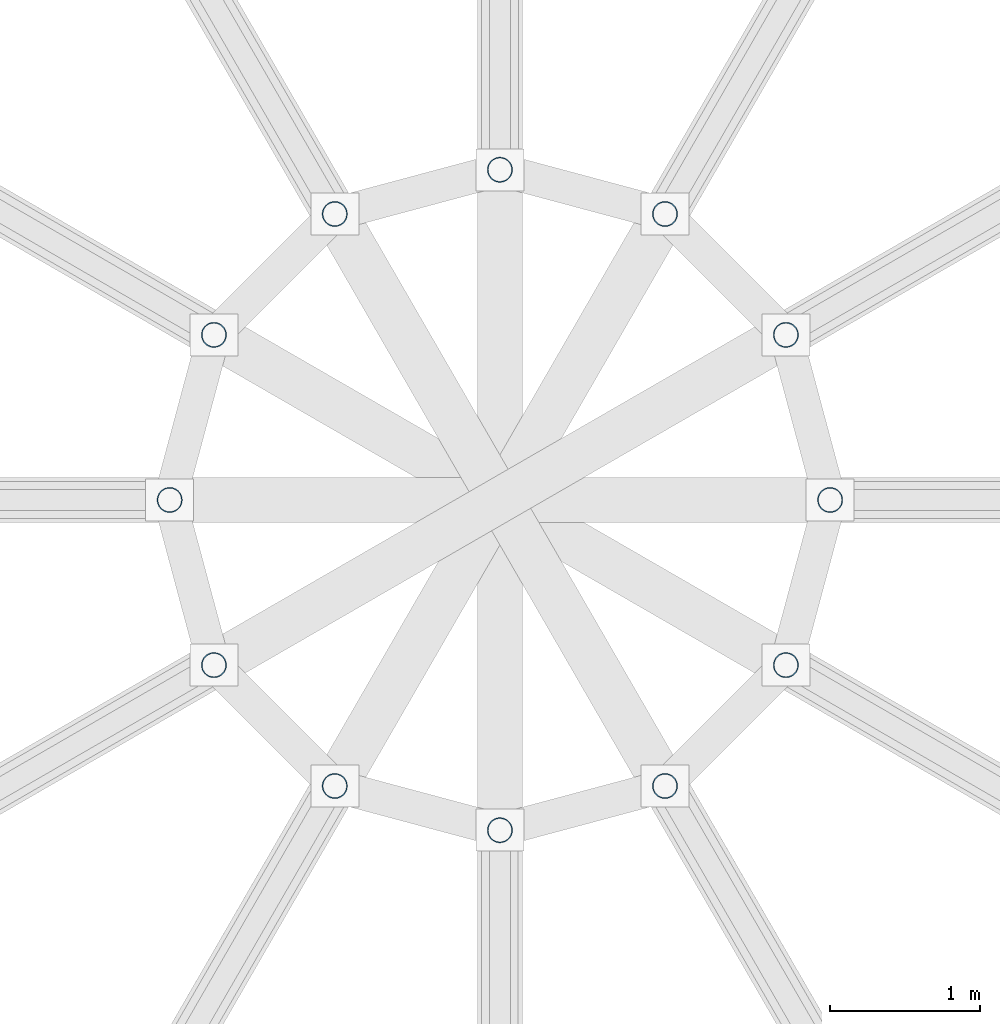
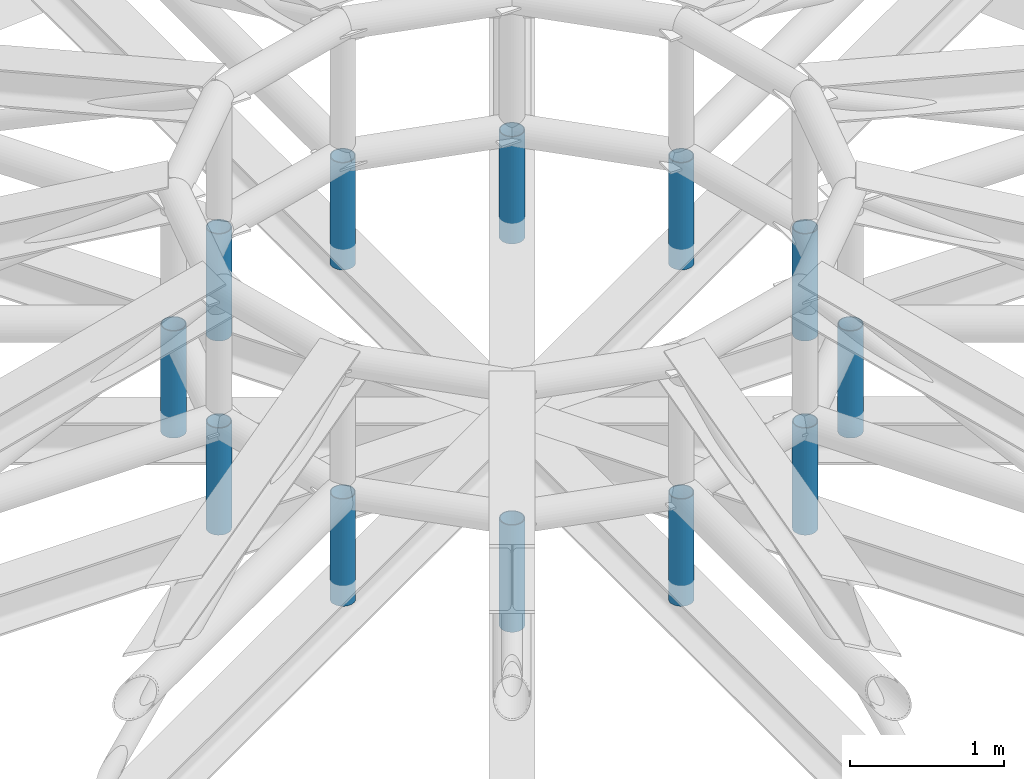
# One storey, part 67 of 105: 12 members.
"""IFC4 building model written with IfcOpenShell, lengths in metres."""

import ifcopenshell
import ifcopenshell.guid

model = None  # the IFC model being written
_history = None  # IfcOwnerHistory: only IFC2X3 demands one
_inside = {}  # id of a spatial element -> (the spatial element, [elements in it])
_under = {}  # id of a project, library or spatial element -> (it, [spatial elements below it])
_declared = {}  # id of a project -> (the project, [libraries it declares])
_typed = {}  # id of a type object -> (the type object, [elements of that type])
_made_of = {}  # id of a material, layer set ... -> (it, [elements and type objects made of it])


def new_model(schema):
    """Start an empty IFC model of exactly this schema.

    Asked for "IFC4X3", IfcOpenShell would pick the latest addendum, in which some entities
    have other attributes; the version numbers below select the first issue.
    IFC2X3 requires an IfcOwnerHistory on every rooted entity: one is made here for all.
    """
    global model, _history
    if schema == "IFC4X3":
        model = ifcopenshell.file(schema_version=(4, 3, 0, 0))
    else:
        model = ifcopenshell.file(schema=schema)
    _inside.clear()
    _under.clear()
    _declared.clear()
    _typed.clear()
    _made_of.clear()
    _history = None
    if model.schema == "IFC2X3":
        org = make("IfcOrganization", Name="unknown")
        user = make(
            "IfcPersonAndOrganization",
            ThePerson=make("IfcPerson", FamilyName="unknown"),
            TheOrganization=org,
        )
        app = make(
            "IfcApplication",
            ApplicationDeveloper=org,
            Version="unknown",
            ApplicationFullName="unknown",
            ApplicationIdentifier="unknown",
        )
        _history = make(
            "IfcOwnerHistory",
            OwningUser=user,
            OwningApplication=app,
            ChangeAction="ADDED",
            CreationDate=0,
        )
    return model


def make(cls, **values):
    """One entity of the class cls with the attributes given. An attribute that is None is left unset."""
    return model.create_entity(
        cls, **{name: value for name, value in values.items() if value is not None}
    )


def rooted(cls, **values):
    """An entity with a GlobalId (a new one), such as an element, a storey or a relation."""
    return make(cls, GlobalId=ifcopenshell.guid.new(), OwnerHistory=_history, **values)


def si_unit(unit_type, name, prefix=None):
    """IfcSIUnit, for example si_unit("LENGTHUNIT", "METRE", prefix="MILLI")."""
    return make("IfcSIUnit", UnitType=unit_type, Prefix=prefix, Name=name)


def assignment(units):
    """IfcUnitAssignment: the units of a project."""
    return None if units is None else make("IfcUnitAssignment", Units=units)


def point(xyz):
    """IfcCartesianPoint."""
    return None if xyz is None else make("IfcCartesianPoint", Coordinates=xyz)


def direction(xyz):
    """IfcDirection."""
    return None if xyz is None else make("IfcDirection", DirectionRatios=xyz)


def frame(location, z_axis=None, x_axis=None):
    """IfcAxis2Placement3D, a coordinate frame: its origin and axes. An axis left out is left unset."""
    return make(
        "IfcAxis2Placement3D",
        Location=point(location),
        Axis=direction(z_axis),
        RefDirection=direction(x_axis),
    )


def frame_2d(location, x_axis=None):
    """IfcAxis2Placement2D, a coordinate frame in the plane: its origin and x axis."""
    return make(
        "IfcAxis2Placement2D", Location=point(location), RefDirection=direction(x_axis)
    )


def origin():
    """The frame at (0, 0, 0) with its axes left unset."""
    return frame((0.0, 0.0, 0.0))


def origin_2d():
    """The frame at (0, 0) in the plane with its x axis left unset."""
    return frame_2d((0.0, 0.0))


def place(relative_to, where):
    """IfcLocalPlacement: puts the frame where relative to a parent placement (None: the world)."""
    return make(
        "IfcLocalPlacement", PlacementRelTo=relative_to, RelativePlacement=where
    )


def context(
    kind, dimensions, precision=None, world=None, true_north=None, identifier=None
):
    """IfcGeometricRepresentationContext, for example the 3D "Model" context."""
    return make(
        "IfcGeometricRepresentationContext",
        ContextIdentifier=identifier,
        ContextType=kind,
        CoordinateSpaceDimension=dimensions,
        Precision=precision,
        WorldCoordinateSystem=world,
        TrueNorth=true_north,
    )


def subcontext(parent, identifier, kind, view, scale=None):
    """IfcGeometricRepresentationSubContext, for example "Body" below "Model"."""
    return make(
        "IfcGeometricRepresentationSubContext",
        ContextIdentifier=identifier,
        ContextType=kind,
        ParentContext=parent,
        TargetScale=scale,
        TargetView=view,
    )


def project(units=None, contexts=None):
    """IfcProject with its units and contexts."""
    return rooted(
        "IfcProject",
        Name="project",
        RepresentationContexts=contexts,
        UnitsInContext=assignment(units),
    )


def spatial(cls, under=None, at=None, **own):
    """A site, building, storey or space (cls), placed at a placement, below another one or the project."""
    s = rooted(cls, ObjectPlacement=at, **own)
    if under is not None:
        _under.setdefault(under.id(), (under, []))[1].append(s)
    return s


def profile(cls, at=None, kind="AREA", **sizes):
    """A parametric profile (cls). Its sizes go by their IFC names, for example OverallWidth=200.0."""
    return make(cls, ProfileType=kind, Position=at, **sizes)


def hollow_circle(**sizes):
    """IfcCircleHollowProfileDef."""
    return profile("IfcCircleHollowProfileDef", **sizes)


def extrude(swept, where, along, depth):
    """IfcExtrudedAreaSolid: the profile swept, set in the frame where, extruded along a direction by depth."""
    return make(
        "IfcExtrudedAreaSolid",
        SweptArea=swept,
        Position=where,
        ExtrudedDirection=direction(along),
        Depth=depth,
    )


def shape(context_of_items, identifier, shape_type, items):
    """IfcShapeRepresentation: the items that make up one representation, for example the "Body"."""
    return make(
        "IfcShapeRepresentation",
        ContextOfItems=context_of_items,
        RepresentationIdentifier=identifier,
        RepresentationType=shape_type,
        Items=items,
    )


def material(Name=None, Category=None):
    """IfcMaterial."""
    return make("IfcMaterial", Name=Name, Category=Category)


def material_profile(
    of_material, cross_section, Name=None, Category=None, Priority=None
):
    """IfcMaterialProfile: a cross section and its material."""
    return make(
        "IfcMaterialProfile",
        Name=Name,
        Material=of_material,
        Profile=cross_section,
        Priority=Priority,
        Category=Category,
    )


def profile_set(profiles, Name=None, composite=None):
    """IfcMaterialProfileSet."""
    return make(
        "IfcMaterialProfileSet",
        Name=Name,
        MaterialProfiles=profiles,
        CompositeProfile=composite,
    )


def made_of(thing, what):
    """Note that an element or type object is made of a material, layer set ...; save() writes the relation."""
    if what is not None:
        _made_of.setdefault(what.id(), (what, []))[1].append(thing)
    return thing


def type_object(cls, material=None, **own):
    """A type object (cls), such as IfcWallType, which elements share."""
    return made_of(rooted(cls, **own), material)


def element(
    cls,
    number,
    at=None,
    inside=None,
    cuts=None,
    type_object=None,
    material=None,
    context=None,
    identifier="Body",
    shape_type=None,
    held_by="IfcProductDefinitionShape",
    body=None,
    shapes=None,
    **own,
):
    """One element of the class cls, such as IfcWall. Its Tag is "e" and its number.

    at: its placement. inside: the storey or other place that contains it. cuts: it is an
    opening in that element (IfcRelVoidsElement). A single representation is given by context,
    identifier, shape_type and body (its items); several are given by shapes. held_by: the class
    of the entity that holds the representations. save() writes the other relations.
    """
    e = rooted(cls, Tag="e%d" % number, ObjectPlacement=at, **own)
    if body is not None:
        shapes = [shape(context, identifier, shape_type, body)]
    if shapes is not None:
        e.Representation = make(held_by, Representations=shapes)
    if inside is not None:
        _inside.setdefault(inside.id(), (inside, []))[1].append(e)
    if cuts is not None:
        rooted(
            "IfcRelVoidsElement", RelatingBuildingElement=cuts, RelatedOpeningElement=e
        )
    if type_object is not None:
        _typed.setdefault(type_object.id(), (type_object, []))[1].append(e)
    return made_of(e, material)


def aggregate(whole, parts):
    """IfcRelAggregates: a whole, such as a stair, and the parts it consists of."""
    return rooted("IfcRelAggregates", RelatingObject=whole, RelatedObjects=parts)


def save(model, path):
    """Write the relations noted so far, then the file.

    IfcRelAggregates (storeys below a building ...), IfcRelContainedInSpatialStructure (elements
    in a storey), IfcRelDefinesByType, IfcRelAssociatesMaterial and IfcRelDeclares: one each for
    every whole, place, type object, material and project.
    """
    for whole, parts in _under.values():
        aggregate(whole, parts)
    for where, things in _inside.values():
        rooted(
            "IfcRelContainedInSpatialStructure",
            RelatedElements=things,
            RelatingStructure=where,
        )
    for kind, things in _typed.values():
        rooted("IfcRelDefinesByType", RelatedObjects=things, RelatingType=kind)
    for what, things in _made_of.values():
        rooted("IfcRelAssociatesMaterial", RelatedObjects=things, RelatingMaterial=what)
    for by, libraries in _declared.values():
        rooted("IfcRelDeclares", RelatingContext=by, RelatedDefinitions=libraries)
    model.write(path)


model = new_model("IFC4")

# Units and contexts
model_context = context("Model", 3, precision=1e-05, world=origin(), true_north=direction((0.0, 1.0)))
body_context = subcontext(model_context, "Body", "Model", "MODEL_VIEW")
ifc_project = project(units=[si_unit("LENGTHUNIT", "METRE"), si_unit("AREAUNIT", "SQUARE_METRE"), si_unit("VOLUMEUNIT", "CUBIC_METRE"), si_unit("PLANEANGLEUNIT", "RADIAN"), si_unit("MASSUNIT", "GRAM", prefix="KILO")], contexts=[model_context])

# Site, building, storey
site_placement = place(None, origin())
site = spatial("IfcSite", under=ifc_project, at=site_placement, CompositionType="ELEMENT")
building_placement = place(site_placement, origin())
building = spatial("IfcBuilding", under=site, at=building_placement, Name="Pelvatis Terrace Science Centre", CompositionType="ELEMENT")
storey_placement = place(building_placement, frame((0.0, 0.0, 10.199951171875)))
storey = spatial("IfcBuildingStorey", under=building, at=storey_placement, Name="L02", CompositionType="ELEMENT", Elevation=10.199951171875)

# Members
ifc_material = material(Name="Structural steel S355", Category="steel")
ifc_material_profile = material_profile(ifc_material, hollow_circle(Radius=0.084228515625, WallThickness=0.00634765625, at=origin_2d()), Name="CHS 168.3x6.3")
ifc_profile_set = profile_set([ifc_material_profile], Name="Structural steel S355")
member_type = type_object("IfcMemberType", Name="MEM-STR-CHS168", PredefinedType="STRUT", material=ifc_profile_set)
for number, where, z_axis, x_axis, name in (
    (1, (49.0, 35.10009765625, 0.050048828125), (0.0, 0.0, 1.0), (1.0, 0.0, 0.0), "Oculus lantern inner vertical post 01"),
    (2, (44.60009765625, 35.10009765625, 0.050048828125), (0.0, 0.0, 1.0), (1.0, 0.0, 0.0), "Oculus lantern inner vertical post 07"),
    (3, (48.705322265625, 36.199951171875, 0.050048828125), (0.0, 0.0, 1.0), (1.0, 0.0, 0.0), "Oculus lantern inner vertical post 02"),
    (4, (44.894775390625, 34.0, 0.050048828125), (0.0, 0.0, 1.0), (1.0, 0.0, 0.0), "Oculus lantern inner vertical post 08"),
    (5, (47.89990234375, 37.00537109375, 0.050048828125), (0.0, 0.0, 1.0), (1.0, 0.0, 0.0), "Oculus lantern inner vertical post 03"),
    (6, (45.699951171875, 33.194580078125, 0.050048828125), (0.0, 0.0, 1.0), (1.0, 0.0, 0.0), "Oculus lantern inner vertical post 09"),
    (7, (46.800048828125, 37.300048828125, 0.050048828125), (0.0, 0.0, 1.0), (1.0, 0.0, 0.0), "Oculus lantern inner vertical post 04"),
    (8, (46.800048828125, 32.89990234375, 0.050048828125), (0.0, 0.0, 1.0), (1.0, 0.0, 0.0), "Oculus lantern inner vertical post 10"),
    (9, (45.699951171875, 37.00537109375, 0.050048828125), (0.0, 0.0, 1.0), (1.0, 0.0, 0.0), "Oculus lantern inner vertical post 05"),
    (10, (47.89990234375, 33.194580078125, 0.050048828125), (0.0, 0.0, 1.0), (1.0, 0.0, 0.0), "Oculus lantern inner vertical post 11"),
    (11, (44.894775390625, 36.199951171875, 0.050048828125), (0.0, 0.0, 1.0), (1.0, 0.0, 0.0), "Oculus lantern inner vertical post 06"),
    (12, (48.705322265625, 34.0, 0.050048828125), (0.0, 0.0, 1.0), (1.0, 0.0, 0.0), "Oculus lantern inner vertical post 12"),
):
    element("IfcMember", number, at=place(storey_placement, frame(where, z_axis=z_axis, x_axis=x_axis)), inside=storey, type_object=member_type, Name=name, PredefinedType="STRUT", context=body_context, shape_type="SweptSolid", body=[
        extrude(hollow_circle(Radius=0.084228515625, WallThickness=0.00634765625, at=origin_2d()), origin(), (0.0, 0.0, 1.0), 0.85009765625),
    ])

save(model, "model.ifc")
